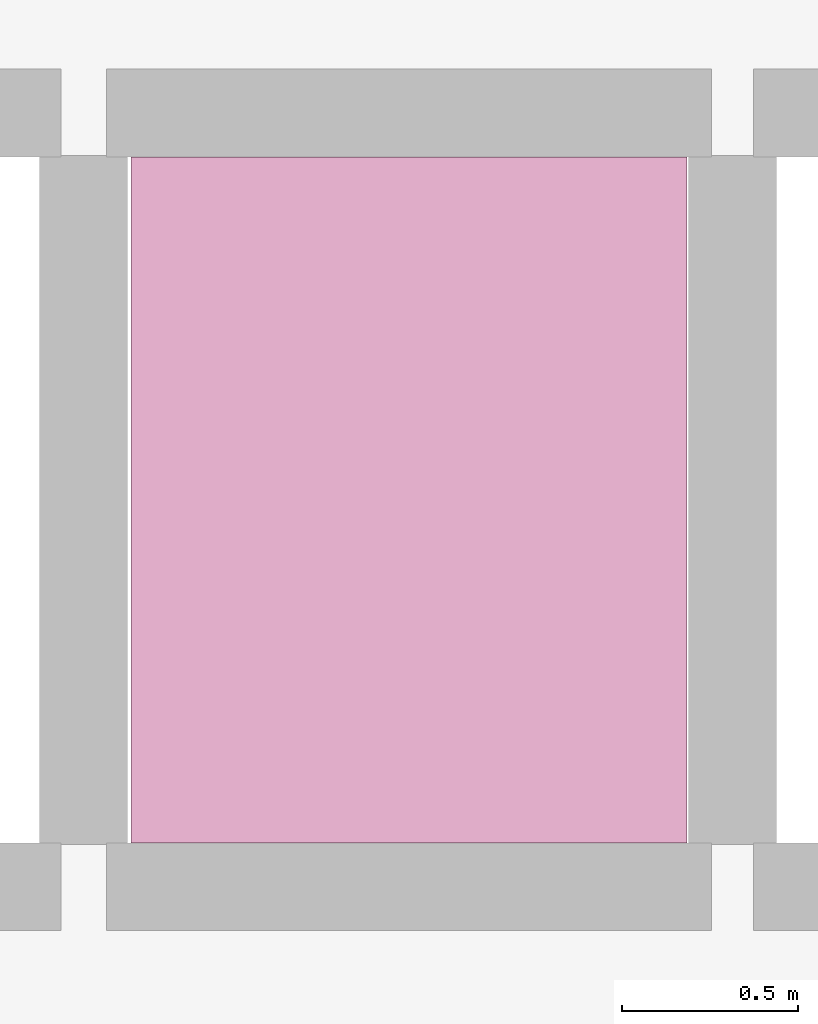
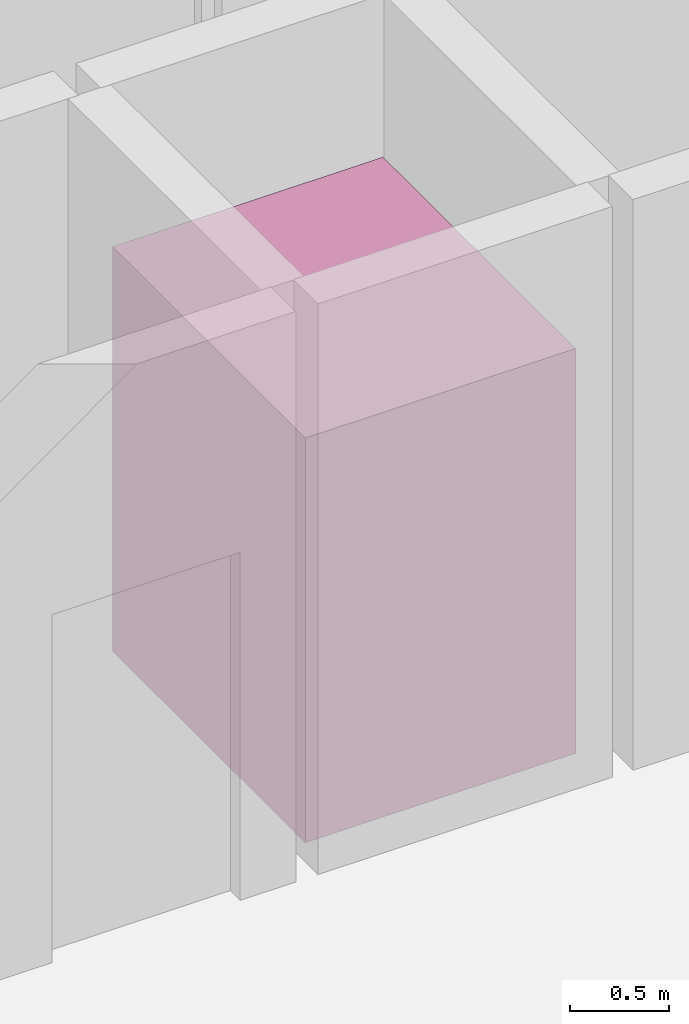
# One storey, part 11 of 11: 1 transport element.
"""IFC4 building model written with IfcOpenShell, lengths in metres."""

from ifc_helpers import new_model, si_unit, direction, frame, origin, origin_2d, place, context, subcontext, project, spatial, rectangle, extrude, material, type_object, element, save


model = new_model("IFC4")

# Units and contexts
model_context = context("Model", 3, precision=1e-05, world=origin(), true_north=direction((0.0, 1.0)))
body_context = subcontext(model_context, "Body", "Model", "MODEL_VIEW")
ifc_project = project(units=[si_unit("LENGTHUNIT", "METRE"), si_unit("AREAUNIT", "SQUARE_METRE"), si_unit("VOLUMEUNIT", "CUBIC_METRE"), si_unit("PLANEANGLEUNIT", "RADIAN"), si_unit("MASSUNIT", "GRAM", prefix="KILO")], contexts=[model_context])

# Site, building, storey
site_placement = place(None, origin())
site = spatial("IfcSite", under=ifc_project, at=site_placement, CompositionType="ELEMENT")
building_placement = place(site_placement, origin())
building = spatial("IfcBuilding", under=site, at=building_placement, Name="Zulverin Broadcast Headquarters", CompositionType="ELEMENT")
storey_placement = place(building_placement, frame((0.0, 0.0, 28.800048828125)))
storey = spatial("IfcBuildingStorey", under=building, at=storey_placement, Name="L06", CompositionType="ELEMENT", Elevation=28.800048828125)

# Transport element
ifc_material = material(Name="Stainless steel & laminated glass elevator car", Category="steel")
transport_element_type = type_object("IfcTransportElementType", Name="LFT-PASS-1600", PredefinedType="ELEVATOR", material=ifc_material)
transport_element_placement = place(storey_placement, frame((30.760009765625, 27.89990234375, 0.02001953125), z_axis=(0.0, 0.0, 1.0), x_axis=(1.0, 0.0, 0.0)))
element("IfcTransportElement", 1, at=transport_element_placement, inside=storey, type_object=transport_element_type, Name="Elevator Car PL-H1 (1600 kg, L00-L78)", PredefinedType="ELEVATOR", context=body_context, shape_type="SweptSolid", body=[
    extrude(rectangle(XDim=1.580078125, YDim=1.949951171875, at=origin_2d()), origin(), (0.0, 0.0, 1.0), 2.5),
])

save(model, "model.ifc")
